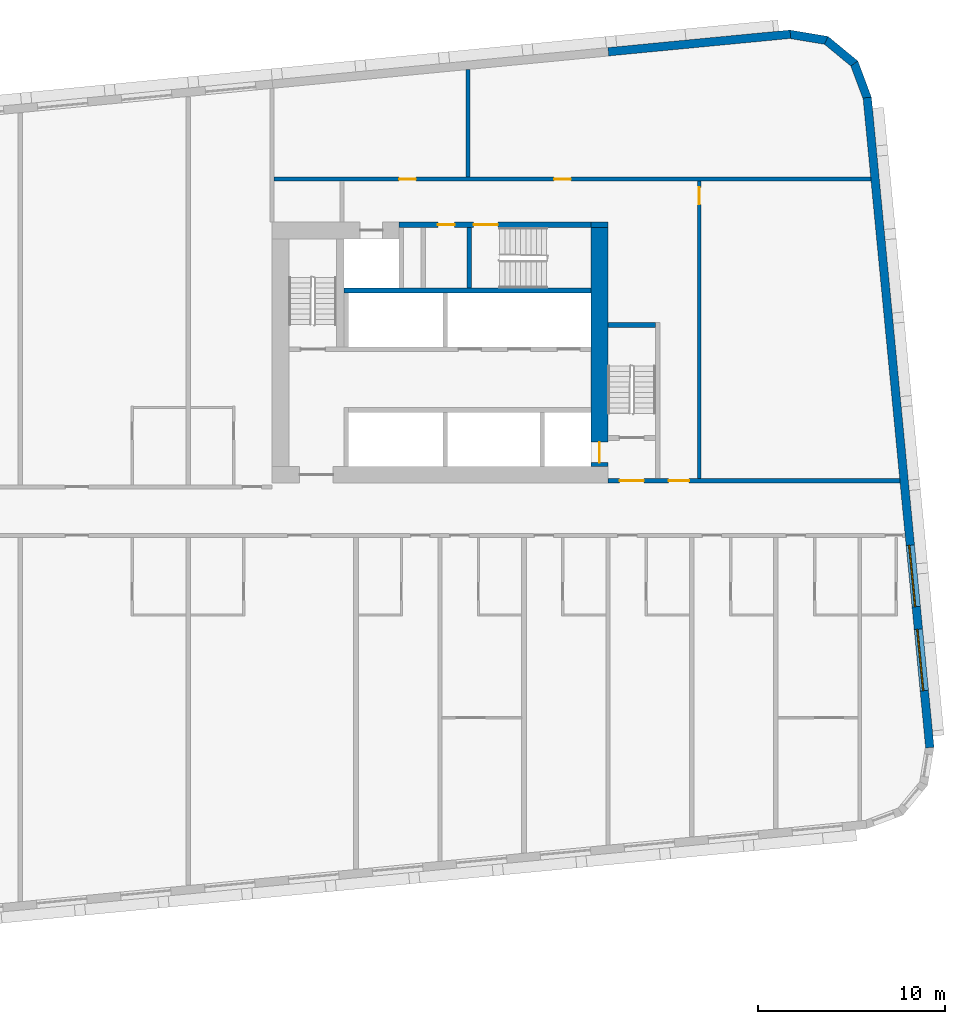
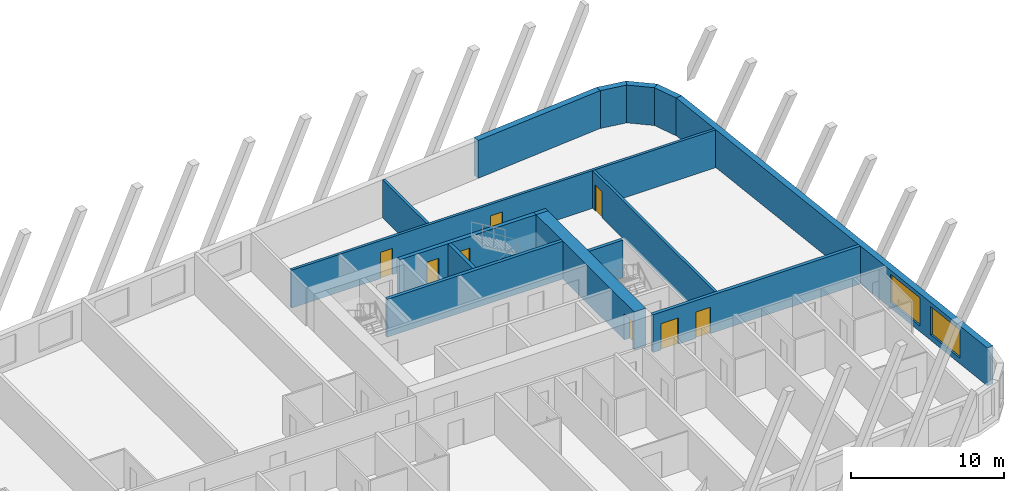
# One storey, part 8 of 13: 15 walls, 8 doors, 2 windows, 10 openings.
"""IFC4 building model written with IfcOpenShell, lengths in metres."""

from ifc_helpers import new_model, si_unit, direction, frame, frame_2d, origin, place, context, subcontext, project, spatial, polyline, rectangle, outline, extrude, material, layer, layer_set, type_object, element, fill, save


model = new_model("IFC4")

# Units and contexts
model_context = context("Model", 3, precision=1e-05, world=origin(), true_north=direction((0.0, 1.0)))
body_context = subcontext(model_context, "Body", "Model", "MODEL_VIEW")
ifc_project = project(units=[si_unit("LENGTHUNIT", "METRE"), si_unit("AREAUNIT", "SQUARE_METRE"), si_unit("VOLUMEUNIT", "CUBIC_METRE"), si_unit("PLANEANGLEUNIT", "RADIAN"), si_unit("MASSUNIT", "GRAM", prefix="KILO")], contexts=[model_context])

# Site, building, storey
site_placement = place(None, origin())
site = spatial("IfcSite", under=ifc_project, at=site_placement, CompositionType="ELEMENT")
building_placement = place(site_placement, origin())
building = spatial("IfcBuilding", under=site, at=building_placement, Name="Kajstack Hotel Tower", CompositionType="ELEMENT")
storey_placement = place(building_placement, frame((0.0, 0.0, 120.699951171875)))
storey = spatial("IfcBuildingStorey", under=building, at=storey_placement, Name="L26", CompositionType="ELEMENT", Elevation=120.699951171875)

# Wall
ifc_material_1 = material(Name="Concrete C60/75", Category="concrete")
ifc_layer_1 = layer(ifc_material_1, 0.89990234375)
ifc_layer_set_1 = layer_set([ifc_layer_1], Name="Core wall 900")
wall_type_1 = type_object("IfcWallType", Name="Core wall 900", PredefinedType="SHEAR", material=ifc_layer_set_1)
wall_1_placement = place(storey_placement, frame((30.60009765625, 15.35009765625, 0.0), z_axis=(0.0, 0.0, 1.0), x_axis=(1.0, 0.0, 0.0)))
element("IfcWall", 1, at=wall_1_placement, inside=storey, type_object=wall_type_1, Name="Core wall E RSW", PredefinedType="SHEAR", context=body_context, shape_type="SweptSolid", body=[
    extrude(rectangle(XDim=0.89990234375, YDim=0.300048828125, at=frame_2d((0.449951171875, 0.0))), origin(), (0.0, 0.0, 1.0), 3.02001953125),
])

# Wall, opening, door
wall_2_placement = place(storey_placement, frame((31.050048828125, 2.39990234375, 0.0), z_axis=(0.0, 0.0, 1.0), x_axis=(0.0, 1.0, 0.0)))
wall_2 = element("IfcWall", 2, at=wall_2_placement, inside=storey, type_object=wall_type_1, Name="Core wall E RW", PredefinedType="SHEAR", context=body_context, shape_type="SweptSolid", body=[
    extrude(rectangle(XDim=12.800048828125, YDim=0.89990234375, at=frame_2d((6.39990234375, 0.0))), origin(), (0.0, 0.0, 1.0), 3.02001953125),
])
opening_1_placement = place(wall_2_placement, frame((0.199951171875, 0.0, 0.0)))
opening_1 = element("IfcOpeningElement", 3, at=opening_1_placement, cuts=wall_2, Name="Opening LD-FF2", PredefinedType="OPENING", context=body_context, shape_type="SweptSolid", body=[
    extrude(rectangle(XDim=1.10009765625, YDim=2.10009765625, at=frame_2d((0.550048828125, 1.050048828125))), frame((0.0, 0.4599609375, 0.0), z_axis=(0.0, -1.0, 0.0), x_axis=(1.0, 0.0, 0.0)), (0.0, 0.0, 1.0), 0.919921875),
])
ifc_material_2 = material(Name="Stainless steel", Category="steel")
door_type_1 = type_object("IfcDoorType", Name="Fire-fighting lift landing door 1100", OperationType="SLIDING_TO_LEFT", PredefinedType="DOOR", material=ifc_material_2)
door_1_placement = place(opening_1_placement, origin())
door_1 = element("IfcDoor", 4, at=door_1_placement, inside=storey, type_object=door_type_1, Name="Landing door FF2", OperationType="SLIDING_TO_LEFT", OverallHeight=2.10009765625, OverallWidth=1.10009765625, PredefinedType="DOOR", context=body_context, shape_type="SweptSolid", body=[
    extrude(rectangle(XDim=1.10009765625, YDim=2.10009765625, at=frame_2d((0.550048828125, 1.050048828125))), frame((0.0, 0.02490234375, 0.0), z_axis=(0.0, -1.0, 0.0), x_axis=(1.0, 0.0, 0.0)), (0.0, 0.0, 1.0), 0.050048828125),
])
fill(opening_1, door_1)

# Wall, openings, windows
ifc_material_3 = material(Name="Terracotta-faced brick masonry", Category="masonry")
ifc_layer_2 = layer(ifc_material_3, 0.449951171875)
ifc_layer_set_2 = layer_set([ifc_layer_2], Name="EW-TERRA")
wall_type_2 = type_object("IfcWallType", Name="EW-TERRA", PredefinedType="SOLIDWALL", material=ifc_layer_set_2)
wall_3_placement = place(storey_placement, frame((48.7529296875, -12.671630859375, 0.0), z_axis=(0.0, 0.0, 1.0), x_axis=(-0.095842661909, 0.995396495954, 0.0)))
wall_3 = element("IfcWall", 5, at=wall_3_placement, inside=storey, type_object=wall_type_2, Name="E-wall-L26-08-00", PredefinedType="SOLIDWALL", context=body_context, shape_type="SweptSolid", body=[
    extrude(rectangle(XDim=35.0, YDim=0.449951171875, at=frame_2d((17.5, 0.0))), origin(), (0.0, 0.0, 1.0), 3.02001953125),
])
opening_2_placement = place(wall_3_placement, frame((3.07177734375, 0.0, 0.449951171875)))
opening_2 = element("IfcOpeningElement", 6, at=opening_2_placement, cuts=wall_3, Name="Opening W2", PredefinedType="OPENING", context=body_context, shape_type="SweptSolid", body=[
    extrude(rectangle(XDim=3.300048828125, YDim=2.25, at=frame_2d((1.64990234375, 1.125))), frame((0.0, 0.23486328125, 0.0), z_axis=(0.0, -1.0, 0.0), x_axis=(1.0, 0.0, 0.0)), (0.0, 0.0, 1.0), 0.469970703125),
])
opening_3_placement = place(wall_3_placement, frame((7.592529296875, 0.0, 0.449951171875)))
opening_3 = element("IfcOpeningElement", 7, at=opening_3_placement, cuts=wall_3, Name="Opening W2", PredefinedType="OPENING", context=body_context, shape_type="SweptSolid", body=[
    extrude(rectangle(XDim=3.300048828125, YDim=2.25, at=frame_2d((1.64990234375, 1.125))), frame((0.0, 0.23486328125, 0.0), z_axis=(0.0, -1.0, 0.0), x_axis=(1.0, 0.0, 0.0)), (0.0, 0.0, 1.0), 0.469970703125),
])
ifc_material_4 = material(Name="Timber-aluminium window, triple glazed", Category="wood")
window_type = type_object("IfcWindowType", Name="WG2", PartitioningType="SINGLE_PANEL", PredefinedType="WINDOW", material=ifc_material_4)
window_1_placement = place(opening_2_placement, origin())
window_1 = element("IfcWindow", 8, at=window_1_placement, inside=storey, type_object=window_type, Name="Window W2 L26-08", OverallHeight=2.25, OverallWidth=3.300048828125, PartitioningType="SINGLE_PANEL", PredefinedType="WINDOW", context=body_context, shape_type="SweptSolid", body=[
    extrude(rectangle(XDim=3.300048828125, YDim=2.25, at=frame_2d((1.64990234375, 1.125))), frame((0.0, 0.090087890625, 0.0), z_axis=(0.0, -1.0, 0.0), x_axis=(1.0, 0.0, 0.0)), (0.0, 0.0, 1.0), 0.06005859375),
])
fill(opening_2, window_1)
window_2_placement = place(opening_3_placement, origin())
window_2 = element("IfcWindow", 9, at=window_2_placement, inside=storey, type_object=window_type, Name="Window W2 L26-08", OverallHeight=2.25, OverallWidth=3.300048828125, PartitioningType="SINGLE_PANEL", PredefinedType="WINDOW", context=body_context, shape_type="SweptSolid", body=[
    extrude(rectangle(XDim=3.300048828125, YDim=2.25, at=frame_2d((1.64990234375, 1.125))), frame((0.0, 0.090087890625, 0.0), z_axis=(0.0, -1.0, 0.0), x_axis=(1.0, 0.0, 0.0)), (0.0, 0.0, 1.0), 0.06005859375),
])
fill(opening_3, window_2)

# Walls
wall_4_placement = place(storey_placement, frame((45.41162109375, 22.10986328125, 0.0), z_axis=(0.0, 0.0, 1.0), x_axis=(-0.350192909346, 0.936677599948, 0.0)))
element("IfcWall", 10, at=wall_4_placement, inside=storey, type_object=wall_type_2, Name="E-wall-L26-09-00", PredefinedType="SOLIDWALL", context=body_context, shape_type="SweptSolid", body=[
    extrude(outline(polyline([(0.0, -0.22509765625), (2.070556640625, -0.22509765625), (1.949951171875, 0.224853515625), (0.12060546875, 0.224853515625), (0.0, -0.22509765625)])), origin(), (0.0, 0.0, 1.0), 3.02001953125),
])
wall_5_placement = place(storey_placement, frame((44.754150390625, 23.95458984375, 0.0), z_axis=(0.0, 0.0, 1.0), x_axis=(-0.771651049663, 0.636046112757, 0.0)))
element("IfcWall", 11, at=wall_5_placement, inside=storey, type_object=wall_type_2, Name="E-wall-L26-10-00", PredefinedType="SOLIDWALL", context=body_context, shape_type="SweptSolid", body=[
    extrude(outline(polyline([(0.0, -0.22509765625), (2.070556640625, -0.22509765625), (1.949951171875, 0.224853515625), (0.12060546875, 0.22509765625), (0.0, -0.22509765625)])), origin(), (0.0, 0.0, 1.0), 3.02001953125),
])
wall_6_placement = place(storey_placement, frame((43.262451171875, 25.223388671875, 0.0), z_axis=(0.0, 0.0, 1.0), x_axis=(-0.986298144721, 0.164972633245, 0.0)))
element("IfcWall", 12, at=wall_6_placement, inside=storey, type_object=wall_type_2, Name="E-wall-L26-11-00", PredefinedType="SOLIDWALL", context=body_context, shape_type="SweptSolid", body=[
    extrude(outline(polyline([(0.0, -0.224853515625), (2.070556640625, -0.22509765625), (1.949951171875, 0.22509765625), (0.12060546875, 0.22509765625), (0.0, -0.224853515625)])), origin(), (0.0, 0.0, 1.0), 3.02001953125),
])
wall_7_placement = place(storey_placement, frame((41.279052734375, 25.56298828125, 0.0), z_axis=(0.0, 0.0, 1.0), x_axis=(-0.995394735506, -0.095860943703, 0.0)))
element("IfcWall", 13, at=wall_7_placement, inside=storey, type_object=wall_type_2, Name="E-wall-L26-12-00", PredefinedType="SOLIDWALL", context=body_context, shape_type="SweptSolid", body=[
    extrude(rectangle(XDim=9.802734375, YDim=0.449951171875, at=frame_2d((4.9013671875, 0.0))), origin(), (0.0, 0.0, 1.0), 3.02001953125),
])

# Wall, openings, doors
ifc_material_5 = material(Name="Gypsum board on steel studs, mineral wool", Category="steel")
ifc_layer_3 = layer(ifc_material_5, 0.199951171875)
ifc_layer_set_3 = layer_set([ifc_layer_3], Name="Service partition 200")
wall_type_3 = type_object("IfcWallType", Name="Service partition 200", PredefinedType="PARTITIONING", material=ifc_layer_set_3)
wall_8_placement = place(storey_placement, frame((31.5, 1.625, 0.0), z_axis=(0.0, 0.0, 1.0), x_axis=(1.0, 0.0, 0.0)))
wall_8 = element("IfcWall", 14, at=wall_8_placement, inside=storey, type_object=wall_type_3, Name="Partition E SN", PredefinedType="PARTITIONING", context=body_context, shape_type="SweptSolid", body=[
    extrude(rectangle(XDim=15.650390625, YDim=0.25, at=frame_2d((7.8251953125, 0.0))), origin(), (0.0, 0.0, 1.0), 3.02001953125),
])
opening_4_placement = place(wall_8_placement, frame((0.625, 0.0, 0.0)))
opening_4 = element("IfcOpeningElement", 15, at=opening_4_placement, cuts=wall_8, Name="Opening 26E07", PredefinedType="OPENING", context=body_context, shape_type="SweptSolid", body=[
    extrude(rectangle(XDim=1.300048828125, YDim=2.10009765625, at=frame_2d((0.64990234375, 1.050048828125))), frame((0.0, 0.135009765625, 0.0), z_axis=(0.0, -1.0, 0.0), x_axis=(1.0, 0.0, 0.0)), (0.0, 0.0, 1.0), 0.27001953125),
])
opening_5_placement = place(wall_8_placement, frame((3.25, 0.0, 0.0)))
opening_5 = element("IfcOpeningElement", 16, at=opening_5_placement, cuts=wall_8, Name="Opening 26E09", PredefinedType="OPENING", context=body_context, shape_type="SweptSolid", body=[
    extrude(rectangle(XDim=1.10009765625, YDim=2.10009765625, at=frame_2d((0.550048828125, 1.050048828125))), frame((0.0, 0.135009765625, 0.0), z_axis=(0.0, -1.0, 0.0), x_axis=(1.0, 0.0, 0.0)), (0.0, 0.0, 1.0), 0.27001953125),
])
ifc_material_6 = material(Name="Steel leaf, fire-rated", Category="steel")
door_type_2 = type_object("IfcDoorType", Name="Fire lobby door 1300", OperationType="SINGLE_SWING_LEFT", PredefinedType="DOOR", material=ifc_material_6)
door_2_placement = place(opening_4_placement, origin())
door_2 = element("IfcDoor", 17, at=door_2_placement, inside=storey, type_object=door_type_2, Name="Door 26E07", OperationType="SINGLE_SWING_LEFT", OverallHeight=2.10009765625, OverallWidth=1.300048828125, PredefinedType="DOOR", context=body_context, shape_type="SweptSolid", body=[
    extrude(rectangle(XDim=1.300048828125, YDim=2.10009765625, at=frame_2d((0.64990234375, 1.050048828125))), frame((0.0, 0.02490234375, 0.0), z_axis=(0.0, -1.0, 0.0), x_axis=(1.0, 0.0, 0.0)), (0.0, 0.0, 1.0), 0.050048828125),
])
fill(opening_4, door_2)
ifc_material_7 = material(Name="Timber leaf, fire-rated", Category="wood")
door_type_3 = type_object("IfcDoorType", Name="Service corridor door 1100", OperationType="SINGLE_SWING_LEFT", PredefinedType="DOOR", material=ifc_material_7)
door_3_placement = place(opening_5_placement, origin())
door_3 = element("IfcDoor", 18, at=door_3_placement, inside=storey, type_object=door_type_3, Name="Door 26E09", OperationType="SINGLE_SWING_LEFT", OverallHeight=2.10009765625, OverallWidth=1.10009765625, PredefinedType="DOOR", context=body_context, shape_type="SweptSolid", body=[
    extrude(rectangle(XDim=1.10009765625, YDim=2.10009765625, at=frame_2d((0.550048828125, 1.050048828125))), frame((0.0, 0.02490234375, 0.0), z_axis=(0.0, -1.0, 0.0), x_axis=(1.0, 0.0, 0.0)), (0.0, 0.0, 1.0), 0.050048828125),
])
fill(opening_5, door_3)

# Wall, opening, door
wall_9_placement = place(storey_placement, frame((36.39990234375, 1.75, 0.0), z_axis=(0.0, 0.0, 1.0), x_axis=(0.0, 1.0, 0.0)))
wall_9 = element("IfcWall", 19, at=wall_9_placement, inside=storey, type_object=wall_type_3, Name="Partition E WRE", PredefinedType="PARTITIONING", context=body_context, shape_type="SweptSolid", body=[
    extrude(rectangle(XDim=15.949951171875, YDim=0.199951171875, at=frame_2d((7.97509765625, 0.0))), origin(), (0.0, 0.0, 1.0), 3.02001953125),
])
opening_6_placement = place(wall_9_placement, frame((14.699951171875, 0.0, 0.0)))
opening_6 = element("IfcOpeningElement", 20, at=opening_6_placement, cuts=wall_9, Name="Opening 26E15", PredefinedType="OPENING", context=body_context, shape_type="SweptSolid", body=[
    extrude(rectangle(XDim=0.89990234375, YDim=2.10009765625, at=frame_2d((0.449951171875, 1.050048828125))), frame((0.0, 0.10986328125, 0.0), z_axis=(0.0, -1.0, 0.0), x_axis=(1.0, 0.0, 0.0)), (0.0, 0.0, 1.0), 0.219970703125),
])
door_type_4 = type_object("IfcDoorType", Name="Service door 900", OperationType="SINGLE_SWING_LEFT", PredefinedType="DOOR", material=ifc_material_7)
door_4_placement = place(opening_6_placement, origin())
door_4 = element("IfcDoor", 21, at=door_4_placement, inside=storey, type_object=door_type_4, Name="Door 26E15", OperationType="SINGLE_SWING_RIGHT", OverallHeight=2.10009765625, OverallWidth=0.89990234375, PredefinedType="DOOR", context=body_context, shape_type="SweptSolid", body=[
    extrude(rectangle(XDim=0.89990234375, YDim=2.10009765625, at=frame_2d((0.449951171875, 1.050048828125))), frame((0.0, 0.02490234375, 0.0), z_axis=(0.0, -1.0, 0.0), x_axis=(1.0, 0.0, 0.0)), (0.0, 0.0, 1.0), 0.050048828125),
])
fill(opening_6, door_4)

# Wall, openings, doors
wall_10_placement = place(storey_placement, frame((13.60009765625, 17.800048828125, 0.0), z_axis=(0.0, 0.0, 1.0), x_axis=(1.0, 0.0, 0.0)))
wall_10 = element("IfcWall", 22, at=wall_10_placement, inside=storey, type_object=wall_type_3, Name="Partition E SLN", PredefinedType="PARTITIONING", context=body_context, shape_type="SweptSolid", body=[
    extrude(rectangle(XDim=31.992919921875, YDim=0.199951171875, at=frame_2d((15.99658203125, 0.0))), origin(), (0.0, 0.0, 1.0), 3.02001953125),
])
opening_7_placement = place(wall_10_placement, frame((15.012451171875, 0.0, 0.0)))
opening_7 = element("IfcOpeningElement", 23, at=opening_7_placement, cuts=wall_10, Name="Opening 26E13", PredefinedType="OPENING", context=body_context, shape_type="SweptSolid", body=[
    extrude(rectangle(XDim=0.89990234375, YDim=2.10009765625, at=frame_2d((0.449951171875, 1.050048828125))), frame((0.0, 0.10986328125, 0.0), z_axis=(0.0, -1.0, 0.0), x_axis=(1.0, 0.0, 0.0)), (0.0, 0.0, 1.0), 0.219970703125),
])
opening_8_placement = place(wall_10_placement, frame((6.71240234375, 0.0, 0.0)))
opening_8 = element("IfcOpeningElement", 24, at=opening_8_placement, cuts=wall_10, Name="Opening 26E14", PredefinedType="OPENING", context=body_context, shape_type="SweptSolid", body=[
    extrude(rectangle(XDim=0.89990234375, YDim=2.10009765625, at=frame_2d((0.449951171875, 1.050048828125))), frame((0.0, 0.10986328125, 0.0), z_axis=(0.0, -1.0, 0.0), x_axis=(1.0, 0.0, 0.0)), (0.0, 0.0, 1.0), 0.219970703125),
])
door_5_placement = place(opening_7_placement, origin())
door_5 = element("IfcDoor", 25, at=door_5_placement, inside=storey, type_object=door_type_4, Name="Door 26E13", OperationType="SINGLE_SWING_LEFT", OverallHeight=2.10009765625, OverallWidth=0.89990234375, PredefinedType="DOOR", context=body_context, shape_type="SweptSolid", body=[
    extrude(rectangle(XDim=0.89990234375, YDim=2.10009765625, at=frame_2d((0.449951171875, 1.050048828125))), frame((0.0, 0.02490234375, 0.0), z_axis=(0.0, -1.0, 0.0), x_axis=(1.0, 0.0, 0.0)), (0.0, 0.0, 1.0), 0.050048828125),
])
fill(opening_7, door_5)
door_6_placement = place(opening_8_placement, origin())
door_6 = element("IfcDoor", 26, at=door_6_placement, inside=storey, type_object=door_type_4, Name="Door 26E14", OperationType="SINGLE_SWING_LEFT", OverallHeight=2.10009765625, OverallWidth=0.89990234375, PredefinedType="DOOR", context=body_context, shape_type="SweptSolid", body=[
    extrude(rectangle(XDim=0.89990234375, YDim=2.10009765625, at=frame_2d((0.449951171875, 1.050048828125))), frame((0.0, 0.02490234375, 0.0), z_axis=(0.0, -1.0, 0.0), x_axis=(1.0, 0.0, 0.0)), (0.0, 0.0, 1.0), 0.050048828125),
])
fill(opening_8, door_6)

# Wall
wall_11_placement = place(storey_placement, frame((24.0, 17.89990234375, 0.0), z_axis=(0.0, 0.0, 1.0), x_axis=(0.0, 1.0, 0.0)))
element("IfcWall", 27, at=wall_11_placement, inside=storey, type_object=wall_type_3, Name="Partition E SLP0", PredefinedType="PARTITIONING", context=body_context, shape_type="SweptSolid", body=[
    extrude(rectangle(XDim=5.774169921875, YDim=0.199951171875, at=frame_2d((2.88720703125, 0.0))), origin(), (0.0, 0.0, 1.0), 3.02001953125),
])

# Wall, openings, doors
ifc_material_8 = material(Name="Concrete C50/60", Category="concrete")
ifc_layer_4 = layer(ifc_material_8, 0.25)
ifc_layer_set_4 = layer_set([ifc_layer_4], Name="Shaft wall 250")
wall_type_4 = type_object("IfcWallType", Name="Shaft wall 250", PredefinedType="SHEAR", material=ifc_layer_set_4)
wall_12_placement = place(storey_placement, frame((20.300048828125, 15.35009765625, 0.0), z_axis=(0.0, 0.0, 1.0), x_axis=(1.0, 0.0, 0.0)))
wall_12 = element("IfcWall", 28, at=wall_12_placement, inside=storey, type_object=wall_type_4, Name="Core wall E RSS", PredefinedType="SHEAR", context=body_context, shape_type="SweptSolid", body=[
    extrude(rectangle(XDim=10.300048828125, YDim=0.300048828125, at=frame_2d((5.14990234375, 0.0))), origin(), (0.0, 0.0, 1.0), 3.02001953125),
])
opening_9_placement = place(wall_12_placement, frame((4.0, 0.0, 0.0)))
opening_9 = element("IfcOpeningElement", 29, at=opening_9_placement, cuts=wall_12, Name="Opening 26E11", PredefinedType="OPENING", context=body_context, shape_type="SweptSolid", body=[
    extrude(rectangle(XDim=1.300048828125, YDim=2.10009765625, at=frame_2d((0.64990234375, 1.050048828125))), frame((0.0, 0.159912109375, 0.0), z_axis=(0.0, -1.0, 0.0), x_axis=(1.0, 0.0, 0.0)), (0.0, 0.0, 1.0), 0.320068359375),
])
opening_10_placement = place(wall_12_placement, frame((2.08740234375, 0.0, 0.0)))
opening_10 = element("IfcOpeningElement", 30, at=opening_10_placement, cuts=wall_12, Name="Opening 26E12", PredefinedType="OPENING", context=body_context, shape_type="SweptSolid", body=[
    extrude(rectangle(XDim=0.89990234375, YDim=2.10009765625, at=frame_2d((0.449951171875, 1.050048828125))), frame((0.0, 0.159912109375, 0.0), z_axis=(0.0, -1.0, 0.0), x_axis=(1.0, 0.0, 0.0)), (0.0, 0.0, 1.0), 0.320068359375),
])
door_7_placement = place(opening_10_placement, origin())
door_7 = element("IfcDoor", 31, at=door_7_placement, inside=storey, type_object=door_type_4, Name="Door 26E12", OperationType="SINGLE_SWING_RIGHT", OverallHeight=2.10009765625, OverallWidth=0.89990234375, PredefinedType="DOOR", context=body_context, shape_type="SweptSolid", body=[
    extrude(rectangle(XDim=0.89990234375, YDim=2.10009765625, at=frame_2d((0.449951171875, 1.050048828125))), frame((0.0, 0.02490234375, 0.0), z_axis=(0.0, -1.0, 0.0), x_axis=(1.0, 0.0, 0.0)), (0.0, 0.0, 1.0), 0.050048828125),
])
fill(opening_10, door_7)
door_type_5 = type_object("IfcDoorType", Name="Stair door 1300", OperationType="SINGLE_SWING_LEFT", PredefinedType="DOOR", material=ifc_material_6)
door_8_placement = place(opening_9_placement, origin())
door_8 = element("IfcDoor", 32, at=door_8_placement, inside=storey, type_object=door_type_5, Name="Door 26E11", OperationType="SINGLE_SWING_LEFT", OverallHeight=2.10009765625, OverallWidth=1.300048828125, PredefinedType="DOOR", context=body_context, shape_type="SweptSolid", body=[
    extrude(rectangle(XDim=1.300048828125, YDim=2.10009765625, at=frame_2d((0.64990234375, 1.050048828125))), frame((0.0, 0.02490234375, 0.0), z_axis=(0.0, -1.0, 0.0), x_axis=(1.0, 0.0, 0.0)), (0.0, 0.0, 1.0), 0.050048828125),
])
fill(opening_9, door_8)

# Walls
wall_13_placement = place(storey_placement, frame((17.35009765625, 11.824951171875, 0.0), z_axis=(0.0, 0.0, 1.0), x_axis=(1.0, 0.0, 0.0)))
element("IfcWall", 33, at=wall_13_placement, inside=storey, type_object=wall_type_4, Name="Core wall E RB", PredefinedType="SHEAR", context=body_context, shape_type="SweptSolid", body=[
    extrude(rectangle(XDim=13.25, YDim=0.25, at=frame_2d((6.625, 0.0))), origin(), (0.0, 0.0, 1.0), 3.02001953125),
])
ifc_material_9 = material(Name="Concrete C40/50", Category="concrete")
ifc_layer_5 = layer(ifc_material_9, 0.25)
ifc_layer_set_5 = layer_set([ifc_layer_5], Name="Stair enclosure wall 250")
wall_type_5 = type_object("IfcWallType", Name="Stair enclosure wall 250", PredefinedType="SHEAR", material=ifc_layer_set_5)
wall_14_placement = place(storey_placement, frame((31.5, 9.97509765625, 0.0), z_axis=(0.0, 0.0, 1.0), x_axis=(1.0, 0.0, 0.0)))
element("IfcWall", 34, at=wall_14_placement, inside=storey, type_object=wall_type_5, Name="Core wall E W1S", PredefinedType="SHEAR", context=body_context, shape_type="SweptSolid", body=[
    extrude(rectangle(XDim=2.550048828125, YDim=0.25, at=frame_2d((1.27490234375, 0.0))), origin(), (0.0, 0.0, 1.0), 3.02001953125),
])
ifc_layer_6 = layer(ifc_material_8, 0.35009765625)
ifc_layer_set_6 = layer_set([ifc_layer_6], Name="Stair enclosure wall 350")
wall_type_6 = type_object("IfcWallType", Name="Stair enclosure wall 350", PredefinedType="SHEAR", material=ifc_layer_set_6)
wall_15_placement = place(storey_placement, frame((24.074951171875, 11.949951171875, 0.0), z_axis=(0.0, 0.0, 1.0), x_axis=(0.0, 1.0, 0.0)))
element("IfcWall", 35, at=wall_15_placement, inside=storey, type_object=wall_type_6, Name="Core wall E W3E", PredefinedType="SHEAR", context=body_context, shape_type="SweptSolid", body=[
    extrude(rectangle(XDim=3.25, YDim=0.25, at=frame_2d((1.625, 0.0))), origin(), (0.0, 0.0, 1.0), 3.02001953125),
])

save(model, "model.ifc")
